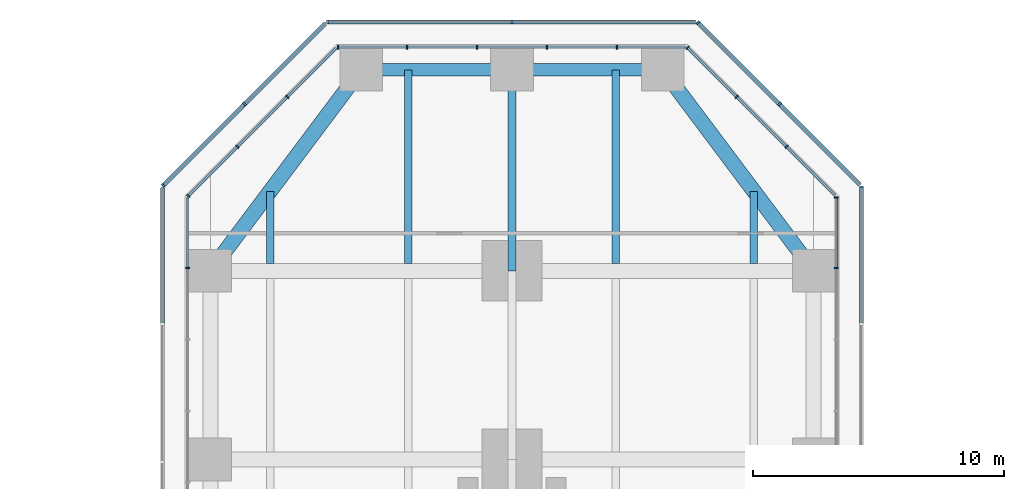
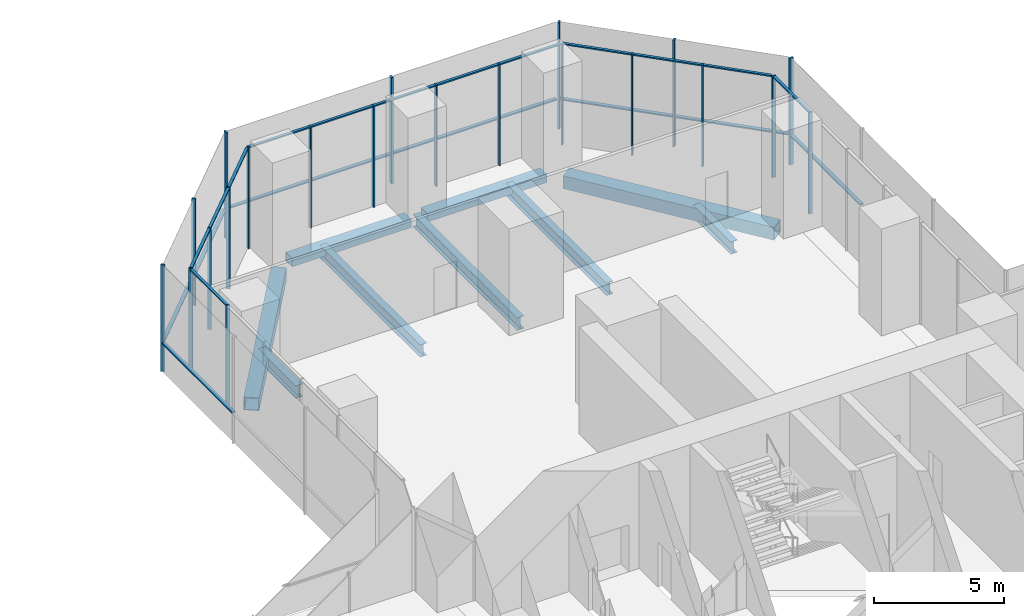
# One storey, part 12 of 23: 42 members, 9 beams, 10 elements without a shape of their own.
"""IFC4 building model written with IfcOpenShell, lengths in metres."""

from ifc_helpers import new_model, si_unit, direction, frame, origin, origin_2d, place, context, subcontext, project, spatial, rectangle, hollow_rectangle, i_section, extrude, material, material_profile, profile_set, type_object, element, aggregate, save


model = new_model("IFC4")

# Units and contexts
model_context = context("Model", 3, precision=1e-05, world=origin(), true_north=direction((0.0, 1.0)))
body_context = subcontext(model_context, "Body", "Model", "MODEL_VIEW")
ifc_project = project(units=[si_unit("LENGTHUNIT", "METRE"), si_unit("AREAUNIT", "SQUARE_METRE"), si_unit("VOLUMEUNIT", "CUBIC_METRE"), si_unit("PLANEANGLEUNIT", "RADIAN"), si_unit("MASSUNIT", "GRAM", prefix="KILO")], contexts=[model_context])

# Site, building, storey
site_placement = place(None, origin())
site = spatial("IfcSite", under=ifc_project, at=site_placement, CompositionType="ELEMENT")
building_placement = place(site_placement, origin())
building = spatial("IfcBuilding", under=site, at=building_placement, Name="Mizan Broadcast Tower", CompositionType="ELEMENT")
storey_placement = place(building_placement, frame((0.0, 0.0, 28.0)))
storey = spatial("IfcBuildingStorey", under=building, at=storey_placement, Name="L04", CompositionType="ELEMENT", Elevation=28.0)

# Beams
ifc_material_1 = material(Name="Steel S355", Category="steel")
ifc_material_profile_1 = material_profile(ifc_material_1, hollow_rectangle(XDim=0.5, YDim=0.39990234375, WallThickness=0.02490234375, at=origin_2d()), Name="BOX 400x500x25")
ifc_profile_set_1 = profile_set([ifc_material_profile_1], Name="Steel S355")
beam_type_1 = type_object("IfcBeamType", Name="EDGE BEAM BOX 400x500x25", PredefinedType="SPANDREL", material=ifc_profile_set_1)
for number, where, z_axis, x_axis, name in (
    (1, (5.639892578125, 35.0, -0.449951171875), (-1.0, 0.0, 0.0), (0.0, -1.0, 0.0), "Edge beam BOX 400x500x25 L04 north arm"),
    (2, (-5.639892578125, 35.0, -0.449951171875), (1.0, 0.0, 0.0), (0.0, 1.0, 0.0), "Edge beam BOX 400x500x25 L04 north arm"),
):
    element("IfcBeam", number, at=place(storey_placement, frame(where, z_axis=z_axis, x_axis=x_axis)), inside=storey, type_object=beam_type_1, Name=name, PredefinedType="SPANDREL", context=body_context, shape_type="SweptSolid", body=[
        extrude(hollow_rectangle(XDim=0.5, YDim=0.39990234375, WallThickness=0.02490234375, at=origin_2d()), origin(), (0.0, 0.0, 1.0), 5.27978515625),
    ])
ifc_material_2 = material(Name="Steel S355", Category="steel")
ifc_material_profile_2 = material_profile(ifc_material_2, hollow_rectangle(XDim=0.60009765625, YDim=0.60009765625, WallThickness=0.030029296875, at=origin_2d()), Name="BOX 600x600x30")
ifc_profile_set_2 = profile_set([ifc_material_profile_2], Name="Steel S355")
beam_type_2 = type_object("IfcBeamType", Name="EDGE BEAM BOX 600x600x30", PredefinedType="SPANDREL", material=ifc_profile_set_2)
for number, where, z_axis, x_axis, name in (
    (3, (11.639892578125, 27.47998046875, -0.550048828125), (-0.599982243973, 0.800013316712, 0.0), (-0.800013316712, -0.599982243973, 0.0), "Edge beam BOX 600x600x30 L04 north arm"),
    (4, (-11.639892578125, 27.47998046875, -0.550048828125), (0.599982243973, 0.800013316712, 0.0), (-0.800013316712, 0.599982243973, 0.0), "Edge beam BOX 600x600x30 L04 north arm"),
):
    element("IfcBeam", number, at=place(storey_placement, frame(where, z_axis=z_axis, x_axis=x_axis)), inside=storey, type_object=beam_type_2, Name=name, PredefinedType="SPANDREL", context=body_context, shape_type="SweptSolid", body=[
        extrude(hollow_rectangle(XDim=0.60009765625, YDim=0.60009765625, WallThickness=0.030029296875, at=origin_2d()), origin(), (0.0, 0.0, 1.0), 8.7998046875),
    ])

# Curtain wall, members
ifc_material_3 = material(Name="Aluminium framed glazing", Category="aluminium")
curtain_wall_type_1 = type_object("IfcCurtainWallType", Name="PODIUM CURTAIN WALL", PredefinedType="USERDEFINED", material=ifc_material_3)
curtain_wall_1_placement = place(storey_placement, origin())
curtain_wall_1 = element("IfcCurtainWall", 5, at=curtain_wall_1_placement, inside=storey, type_object=curtain_wall_type_1, Name="Podium curtain wall L04 N side", ObjectType="PODIUM CURTAIN WALL", PredefinedType="USERDEFINED")
ifc_material_4 = material(Name="Aluminium, pale anodised", Category="aluminium")
ifc_material_profile_3 = material_profile(ifc_material_4, rectangle(XDim=0.159912109375, YDim=0.06005859375, at=origin_2d()), Name="MULLION 160x60")
ifc_profile_set_3 = profile_set([ifc_material_profile_3], Name="Aluminium, pale anodised")
member_type_1 = type_object("IfcMemberType", Name="INNER SKIN MULLION 60x160", PredefinedType="MULLION", material=ifc_profile_set_3)
member_1_placement = place(storey_placement, frame((12.89990234375, 27.115478515625, 0.0), z_axis=(0.0, 0.0, 1.0), x_axis=(-1.0, 0.0, 0.0)))
member_1 = element("IfcMember", 6, at=member_1_placement, type_object=member_type_1, Name="Podium curtain wall L04 N side mullion 6", PredefinedType="MULLION", context=body_context, shape_type="SweptSolid", body=[
    extrude(rectangle(XDim=0.159912109375, YDim=0.06005859375, at=origin_2d()), origin(), (0.0, 0.0, 1.0), 4.75),
])
member_2_placement = place(storey_placement, frame((12.89990234375, 29.928466796875, 0.0), z_axis=(0.0, 0.0, 1.0), x_axis=(-1.0, 0.0, 0.0)))
member_2 = element("IfcMember", 7, at=member_2_placement, type_object=member_type_1, Name="Podium curtain wall L04 N side mullion 7", PredefinedType="MULLION", context=body_context, shape_type="SweptSolid", body=[
    extrude(rectangle(XDim=0.159912109375, YDim=0.06005859375, at=origin_2d()), origin(), (0.0, 0.0, 1.0), 4.75),
])

curtain_wall_2_placement = place(storey_placement, origin())
curtain_wall_2 = element("IfcCurtainWall", 8, at=curtain_wall_2_placement, inside=storey, type_object=curtain_wall_type_1, Name="Podium curtain wall L04 N chamfer", ObjectType="PODIUM CURTAIN WALL", PredefinedType="USERDEFINED")
member_3_placement = place(storey_placement, frame((10.91943359375, 31.93896484375, 0.0), z_axis=(0.0, 0.0, 1.0), x_axis=(-0.707106781187, -0.707106781187, 0.0)))
member_3 = element("IfcMember", 9, at=member_3_placement, type_object=member_type_1, Name="Podium curtain wall L04 N chamfer mullion 2", PredefinedType="MULLION", context=body_context, shape_type="SweptSolid", body=[
    extrude(rectangle(XDim=0.159912109375, YDim=0.06005859375, at=origin_2d()), origin(), (0.0, 0.0, 1.0), 4.75),
])
member_4_placement = place(storey_placement, frame((8.93896484375, 33.91943359375, 0.0), z_axis=(0.0, 0.0, 1.0), x_axis=(-0.707106781187, -0.707106781187, 0.0)))
member_4 = element("IfcMember", 10, at=member_4_placement, type_object=member_type_1, Name="Podium curtain wall L04 N chamfer mullion 3", PredefinedType="MULLION", context=body_context, shape_type="SweptSolid", body=[
    extrude(rectangle(XDim=0.159912109375, YDim=0.06005859375, at=origin_2d()), origin(), (0.0, 0.0, 1.0), 4.75),
])
member_5_placement = place(storey_placement, frame((6.979736328125, 35.87890625, 0.0), z_axis=(0.0, 0.0, 1.0), x_axis=(-0.707106781187, -0.707106781187, 0.0)))
member_5 = element("IfcMember", 11, at=member_5_placement, type_object=member_type_1, Name="Podium curtain wall L04 N chamfer mullion 4", PredefinedType="MULLION", context=body_context, shape_type="SweptSolid", body=[
    extrude(rectangle(XDim=0.159912109375, YDim=0.06005859375, at=origin_2d()), origin(), (0.0, 0.0, 1.0), 4.75),
])

curtain_wall_3_placement = place(storey_placement, origin())
curtain_wall_3 = element("IfcCurtainWall", 12, at=curtain_wall_3_placement, inside=storey, type_object=curtain_wall_type_1, Name="Podium curtain wall L04 N end", ObjectType="PODIUM CURTAIN WALL", PredefinedType="USERDEFINED")
member_6_placement = place(storey_placement, frame((4.175048828125, 35.89990234375, 0.0), z_axis=(0.0, 0.0, 1.0), x_axis=(0.0, -1.0, 0.0)))
member_6 = element("IfcMember", 13, at=member_6_placement, type_object=member_type_1, Name="Podium curtain wall L04 N end mullion 2", PredefinedType="MULLION", context=body_context, shape_type="SweptSolid", body=[
    extrude(rectangle(XDim=0.159912109375, YDim=0.06005859375, at=origin_2d()), origin(), (0.0, 0.0, 1.0), 4.75),
])
member_7_placement = place(storey_placement, frame((1.3916015625, 35.89990234375, 0.0), z_axis=(0.0, 0.0, 1.0), x_axis=(0.0, -1.0, 0.0)))
member_7 = element("IfcMember", 14, at=member_7_placement, type_object=member_type_1, Name="Podium curtain wall L04 N end mullion 3", PredefinedType="MULLION", context=body_context, shape_type="SweptSolid", body=[
    extrude(rectangle(XDim=0.159912109375, YDim=0.06005859375, at=origin_2d()), origin(), (0.0, 0.0, 1.0), 4.75),
])
member_8_placement = place(storey_placement, frame((-1.3916015625, 35.89990234375, 0.0), z_axis=(0.0, 0.0, 1.0), x_axis=(0.0, -1.0, 0.0)))
member_8 = element("IfcMember", 15, at=member_8_placement, type_object=member_type_1, Name="Podium curtain wall L04 N end mullion 4", PredefinedType="MULLION", context=body_context, shape_type="SweptSolid", body=[
    extrude(rectangle(XDim=0.159912109375, YDim=0.06005859375, at=origin_2d()), origin(), (0.0, 0.0, 1.0), 4.75),
])
member_9_placement = place(storey_placement, frame((-4.175048828125, 35.89990234375, 0.0), z_axis=(0.0, 0.0, 1.0), x_axis=(0.0, -1.0, 0.0)))
member_9 = element("IfcMember", 16, at=member_9_placement, type_object=member_type_1, Name="Podium curtain wall L04 N end mullion 5", PredefinedType="MULLION", context=body_context, shape_type="SweptSolid", body=[
    extrude(rectangle(XDim=0.159912109375, YDim=0.06005859375, at=origin_2d()), origin(), (0.0, 0.0, 1.0), 4.75),
])
member_10_placement = place(storey_placement, frame((-6.928466796875, 35.89990234375, 0.0), z_axis=(0.0, 0.0, 1.0), x_axis=(0.0, -1.0, 0.0)))
member_10 = element("IfcMember", 17, at=member_10_placement, type_object=member_type_1, Name="Podium curtain wall L04 N end mullion 6", PredefinedType="MULLION", context=body_context, shape_type="SweptSolid", body=[
    extrude(rectangle(XDim=0.159912109375, YDim=0.06005859375, at=origin_2d()), origin(), (0.0, 0.0, 1.0), 4.75),
])

curtain_wall_4_placement = place(storey_placement, origin())
curtain_wall_4 = element("IfcCurtainWall", 18, at=curtain_wall_4_placement, inside=storey, type_object=curtain_wall_type_1, Name="Podium curtain wall L04 N chamfer", ObjectType="PODIUM CURTAIN WALL", PredefinedType="USERDEFINED")
member_11_placement = place(storey_placement, frame((-8.93896484375, 33.91943359375, 0.0), z_axis=(0.0, 0.0, 1.0), x_axis=(0.707106781187, -0.707106781187, 0.0)))
member_11 = element("IfcMember", 19, at=member_11_placement, type_object=member_type_1, Name="Podium curtain wall L04 N chamfer mullion 2", PredefinedType="MULLION", context=body_context, shape_type="SweptSolid", body=[
    extrude(rectangle(XDim=0.159912109375, YDim=0.06005859375, at=origin_2d()), origin(), (0.0, 0.0, 1.0), 4.75),
])
member_12_placement = place(storey_placement, frame((-10.91943359375, 31.93896484375, 0.0), z_axis=(0.0, 0.0, 1.0), x_axis=(0.707106781187, -0.707106781187, 0.0)))
member_12 = element("IfcMember", 20, at=member_12_placement, type_object=member_type_1, Name="Podium curtain wall L04 N chamfer mullion 3", PredefinedType="MULLION", context=body_context, shape_type="SweptSolid", body=[
    extrude(rectangle(XDim=0.159912109375, YDim=0.06005859375, at=origin_2d()), origin(), (0.0, 0.0, 1.0), 4.75),
])
member_13_placement = place(storey_placement, frame((-12.87890625, 29.979736328125, 0.0), z_axis=(0.0, 0.0, 1.0), x_axis=(0.707106781187, -0.707106781187, 0.0)))
member_13 = element("IfcMember", 21, at=member_13_placement, type_object=member_type_1, Name="Podium curtain wall L04 N chamfer mullion 4", PredefinedType="MULLION", context=body_context, shape_type="SweptSolid", body=[
    extrude(rectangle(XDim=0.159912109375, YDim=0.06005859375, at=origin_2d()), origin(), (0.0, 0.0, 1.0), 4.75),
])

# Curtain wall, member
curtain_wall_5_placement = place(storey_placement, origin())
curtain_wall_5 = element("IfcCurtainWall", 22, at=curtain_wall_5_placement, inside=storey, type_object=curtain_wall_type_1, Name="Podium curtain wall L04 N side", ObjectType="PODIUM CURTAIN WALL", PredefinedType="USERDEFINED")
member_14_placement = place(storey_placement, frame((-12.89990234375, 27.115478515625, 0.0), z_axis=(0.0, 0.0, 1.0), x_axis=(1.0, 0.0, 0.0)))
member_14 = element("IfcMember", 23, at=member_14_placement, type_object=member_type_1, Name="Podium curtain wall L04 N side mullion 2", PredefinedType="MULLION", context=body_context, shape_type="SweptSolid", body=[
    extrude(rectangle(XDim=0.159912109375, YDim=0.06005859375, at=origin_2d()), origin(), (0.0, 0.0, 1.0), 4.75),
])

# Member
ifc_material_5 = material(Name="Aluminium, pale anodised", Category="aluminium")
ifc_material_profile_4 = material_profile(ifc_material_5, rectangle(XDim=0.1201171875, YDim=0.06005859375, at=origin_2d()), Name="TRANSOM 120x60")
ifc_profile_set_4 = profile_set([ifc_material_profile_4], Name="Aluminium, pale anodised")
member_type_2 = type_object("IfcMemberType", Name="INNER SKIN TRANSOM 60x120", PredefinedType="USERDEFINED", material=ifc_profile_set_4)
member_15_placement = place(storey_placement, frame((12.89990234375, 27.1455078125, 4.719970703125), z_axis=(0.0, 1.0, 0.0), x_axis=(-1.0, 0.0, 0.0)))
member_15 = element("IfcMember", 24, at=member_15_placement, type_object=member_type_2, Name="Podium curtain wall L04 N side transom 6.1", ObjectType="TRANSOM", PredefinedType="USERDEFINED", context=body_context, shape_type="SweptSolid", body=[
    extrude(rectangle(XDim=0.1201171875, YDim=0.06005859375, at=origin_2d()), origin(), (0.0, 0.0, 1.0), 2.753173828125),
])

aggregate(curtain_wall_1, [member_1, member_2, member_15])

member_16_placement = place(storey_placement, frame((12.857666015625, 30.0009765625, 4.719970703125), z_axis=(-0.707151809797, 0.707061749709, 0.0), x_axis=(-0.707061749709, -0.707151809797, 0.0)))
member_16 = element("IfcMember", 25, at=member_16_placement, type_object=member_type_2, Name="Podium curtain wall L04 N chamfer transom 1.1", ObjectType="TRANSOM", PredefinedType="USERDEFINED", context=body_context, shape_type="SweptSolid", body=[
    extrude(rectangle(XDim=0.1201171875, YDim=0.06005859375, at=origin_2d()), origin(), (0.0, 0.0, 1.0), 2.7109375),
])

member_17_placement = place(storey_placement, frame((10.898193359375, 31.960205078125, 4.719970703125), z_axis=(-0.707106781187, 0.707106781187, 0.0), x_axis=(-0.707106781187, -0.707106781187, 0.0)))
member_17 = element("IfcMember", 26, at=member_17_placement, type_object=member_type_2, Name="Podium curtain wall L04 N chamfer transom 2.1", ObjectType="TRANSOM", PredefinedType="USERDEFINED", context=body_context, shape_type="SweptSolid", body=[
    extrude(rectangle(XDim=0.1201171875, YDim=0.06005859375, at=origin_2d()), origin(), (0.0, 0.0, 1.0), 2.74072265625),
])

member_18_placement = place(storey_placement, frame((8.917724609375, 33.940673828125, 4.719970703125), z_axis=(-0.707061749709, 0.707151809797, 0.0), x_axis=(-0.707151809797, -0.707061749709, 0.0)))
member_18 = element("IfcMember", 27, at=member_18_placement, type_object=member_type_2, Name="Podium curtain wall L04 N chamfer transom 3.1", ObjectType="TRANSOM", PredefinedType="USERDEFINED", context=body_context, shape_type="SweptSolid", body=[
    extrude(rectangle(XDim=0.1201171875, YDim=0.06005859375, at=origin_2d()), origin(), (0.0, 0.0, 1.0), 2.7109375),
])

aggregate(curtain_wall_2, [member_3, member_4, member_5, member_16, member_17, member_18])

member_19_placement = place(storey_placement, frame((6.898681640625, 35.89990234375, 4.719970703125), z_axis=(-1.0, 0.0, 0.0), x_axis=(0.0, -1.0, 0.0)))
member_19 = element("IfcMember", 28, at=member_19_placement, type_object=member_type_2, Name="Podium curtain wall L04 N end transom 1.1", ObjectType="TRANSOM", PredefinedType="USERDEFINED", context=body_context, shape_type="SweptSolid", body=[
    extrude(rectangle(XDim=0.1201171875, YDim=0.06005859375, at=origin_2d()), origin(), (0.0, 0.0, 1.0), 2.693603515625),
])

member_20_placement = place(storey_placement, frame((4.145263671875, 35.89990234375, 4.719970703125), z_axis=(-1.0, 0.0, 0.0), x_axis=(0.0, -1.0, 0.0)))
member_20 = element("IfcMember", 29, at=member_20_placement, type_object=member_type_2, Name="Podium curtain wall L04 N end transom 2.1", ObjectType="TRANSOM", PredefinedType="USERDEFINED", context=body_context, shape_type="SweptSolid", body=[
    extrude(rectangle(XDim=0.1201171875, YDim=0.06005859375, at=origin_2d()), origin(), (0.0, 0.0, 1.0), 2.7236328125),
])

member_21_placement = place(storey_placement, frame((1.36181640625, 35.89990234375, 4.719970703125), z_axis=(-1.0, 0.0, 0.0), x_axis=(0.0, -1.0, 0.0)))
member_21 = element("IfcMember", 30, at=member_21_placement, type_object=member_type_2, Name="Podium curtain wall L04 N end transom 3.1", ObjectType="TRANSOM", PredefinedType="USERDEFINED", context=body_context, shape_type="SweptSolid", body=[
    extrude(rectangle(XDim=0.1201171875, YDim=0.06005859375, at=origin_2d()), origin(), (0.0, 0.0, 1.0), 2.7236328125),
])

member_22_placement = place(storey_placement, frame((-1.421630859375, 35.89990234375, 4.719970703125), z_axis=(-1.0, 0.0, 0.0), x_axis=(0.0, -1.0, 0.0)))
member_22 = element("IfcMember", 31, at=member_22_placement, type_object=member_type_2, Name="Podium curtain wall L04 N end transom 4.1", ObjectType="TRANSOM", PredefinedType="USERDEFINED", context=body_context, shape_type="SweptSolid", body=[
    extrude(rectangle(XDim=0.1201171875, YDim=0.06005859375, at=origin_2d()), origin(), (0.0, 0.0, 1.0), 2.7236328125),
])

member_23_placement = place(storey_placement, frame((-4.205078125, 35.89990234375, 4.719970703125), z_axis=(-1.0, 0.0, 0.0), x_axis=(0.0, -1.0, 0.0)))
member_23 = element("IfcMember", 32, at=member_23_placement, type_object=member_type_2, Name="Podium curtain wall L04 N end transom 5.1", ObjectType="TRANSOM", PredefinedType="USERDEFINED", context=body_context, shape_type="SweptSolid", body=[
    extrude(rectangle(XDim=0.1201171875, YDim=0.06005859375, at=origin_2d()), origin(), (0.0, 0.0, 1.0), 2.693603515625),
])

aggregate(curtain_wall_3, [member_6, member_7, member_8, member_9, member_10, member_19, member_20, member_21, member_22, member_23])

member_24_placement = place(storey_placement, frame((-7.0009765625, 35.857666015625, 4.719970703125), z_axis=(-0.707061749709, -0.707151809797, 0.0), x_axis=(0.707151809797, -0.707061749709, 0.0)))
member_24 = element("IfcMember", 33, at=member_24_placement, type_object=member_type_2, Name="Podium curtain wall L04 N chamfer transom 1.1", ObjectType="TRANSOM", PredefinedType="USERDEFINED", context=body_context, shape_type="SweptSolid", body=[
    extrude(rectangle(XDim=0.1201171875, YDim=0.06005859375, at=origin_2d()), origin(), (0.0, 0.0, 1.0), 2.7109375),
])

member_25_placement = place(storey_placement, frame((-8.960205078125, 33.898193359375, 4.719970703125), z_axis=(-0.707106781187, -0.707106781187, 0.0), x_axis=(0.707106781187, -0.707106781187, 0.0)))
member_25 = element("IfcMember", 34, at=member_25_placement, type_object=member_type_2, Name="Podium curtain wall L04 N chamfer transom 2.1", ObjectType="TRANSOM", PredefinedType="USERDEFINED", context=body_context, shape_type="SweptSolid", body=[
    extrude(rectangle(XDim=0.1201171875, YDim=0.06005859375, at=origin_2d()), origin(), (0.0, 0.0, 1.0), 2.74072265625),
])

member_26_placement = place(storey_placement, frame((-10.940673828125, 31.917724609375, 4.719970703125), z_axis=(-0.707151809797, -0.707061749709, 0.0), x_axis=(0.707061749709, -0.707151809797, 0.0)))
member_26 = element("IfcMember", 35, at=member_26_placement, type_object=member_type_2, Name="Podium curtain wall L04 N chamfer transom 3.1", ObjectType="TRANSOM", PredefinedType="USERDEFINED", context=body_context, shape_type="SweptSolid", body=[
    extrude(rectangle(XDim=0.1201171875, YDim=0.06005859375, at=origin_2d()), origin(), (0.0, 0.0, 1.0), 2.7109375),
])

aggregate(curtain_wall_4, [member_11, member_12, member_13, member_24, member_25, member_26])

member_27_placement = place(storey_placement, frame((-12.89990234375, 29.898681640625, 4.719970703125), z_axis=(0.0, -1.0, 0.0), x_axis=(1.0, 0.0, 0.0)))
member_27 = element("IfcMember", 36, at=member_27_placement, type_object=member_type_2, Name="Podium curtain wall L04 N side transom 1.1", ObjectType="TRANSOM", PredefinedType="USERDEFINED", context=body_context, shape_type="SweptSolid", body=[
    extrude(rectangle(XDim=0.1201171875, YDim=0.06005859375, at=origin_2d()), origin(), (0.0, 0.0, 1.0), 2.753173828125),
])

aggregate(curtain_wall_5, [member_14, member_27])

# Curtain wall, member
ifc_material_6 = material(Name="Aluminium framed glazing", Category="aluminium")
curtain_wall_type_2 = type_object("IfcCurtainWallType", Name="OUTER SKIN", PredefinedType="USERDEFINED", material=ifc_material_6)
curtain_wall_6_placement = place(storey_placement, origin())
curtain_wall_6 = element("IfcCurtainWall", 37, at=curtain_wall_6_placement, inside=storey, type_object=curtain_wall_type_2, Name="Outer skin L04 N side", ObjectType="OUTER SKIN", PredefinedType="USERDEFINED")
ifc_material_7 = material(Name="Aluminium, pale anodised", Category="aluminium")
ifc_material_profile_5 = material_profile(ifc_material_7, rectangle(XDim=0.159912109375, YDim=0.080078125, at=origin_2d()), Name="MULLION 160x80")
ifc_profile_set_5 = profile_set([ifc_material_profile_5], Name="Aluminium, pale anodised")
member_type_3 = type_object("IfcMemberType", Name="OUTER SKIN MULLION 80x160", PredefinedType="MULLION", material=ifc_profile_set_5)
member_28_placement = place(storey_placement, frame((13.89990234375, 30.332763671875, 0.0), z_axis=(0.0, 0.0, 1.0), x_axis=(-1.0, 0.0, 0.0)))
member_28 = element("IfcMember", 38, at=member_28_placement, type_object=member_type_3, Name="Outer skin L04 N side mullion 4", PredefinedType="MULLION", context=body_context, shape_type="SweptSolid", body=[
    extrude(rectangle(XDim=0.159912109375, YDim=0.080078125, at=origin_2d()), origin(), (0.0, 0.0, 1.0), 5.0),
])

# Curtain wall, members
curtain_wall_7_placement = place(storey_placement, origin())
curtain_wall_7 = element("IfcCurtainWall", 39, at=curtain_wall_7_placement, inside=storey, type_object=curtain_wall_type_2, Name="Outer skin L04 N chamfer", ObjectType="OUTER SKIN", PredefinedType="USERDEFINED")
member_29_placement = place(storey_placement, frame((10.636474609375, 33.636474609375, 0.0), z_axis=(0.0, 0.0, 1.0), x_axis=(-0.707106781187, -0.707106781187, 0.0)))
member_29 = element("IfcMember", 40, at=member_29_placement, type_object=member_type_3, Name="Outer skin L04 N chamfer mullion 2", PredefinedType="MULLION", context=body_context, shape_type="SweptSolid", body=[
    extrude(rectangle(XDim=0.159912109375, YDim=0.080078125, at=origin_2d()), origin(), (0.0, 0.0, 1.0), 5.0),
])
member_30_placement = place(storey_placement, frame((7.401123046875, 36.871826171875, 0.0), z_axis=(0.0, 0.0, 1.0), x_axis=(-0.707106781187, -0.707106781187, 0.0)))
member_30 = element("IfcMember", 41, at=member_30_placement, type_object=member_type_3, Name="Outer skin L04 N chamfer mullion 3", PredefinedType="MULLION", context=body_context, shape_type="SweptSolid", body=[
    extrude(rectangle(XDim=0.159912109375, YDim=0.080078125, at=origin_2d()), origin(), (0.0, 0.0, 1.0), 5.0),
])

curtain_wall_8_placement = place(storey_placement, origin())
curtain_wall_8 = element("IfcCurtainWall", 42, at=curtain_wall_8_placement, inside=storey, type_object=curtain_wall_type_2, Name="Outer skin L04 N end", ObjectType="OUTER SKIN", PredefinedType="USERDEFINED")
member_31_placement = place(storey_placement, frame((0.0, 36.89990234375, 0.0), z_axis=(0.0, 0.0, 1.0), x_axis=(0.0, -1.0, 0.0)))
member_31 = element("IfcMember", 43, at=member_31_placement, type_object=member_type_3, Name="Outer skin L04 N end mullion 2", PredefinedType="MULLION", context=body_context, shape_type="SweptSolid", body=[
    extrude(rectangle(XDim=0.159912109375, YDim=0.080078125, at=origin_2d()), origin(), (0.0, 0.0, 1.0), 5.0),
])
member_32_placement = place(storey_placement, frame((-7.332763671875, 36.89990234375, 0.0), z_axis=(0.0, 0.0, 1.0), x_axis=(0.0, -1.0, 0.0)))
member_32 = element("IfcMember", 44, at=member_32_placement, type_object=member_type_3, Name="Outer skin L04 N end mullion 3", PredefinedType="MULLION", context=body_context, shape_type="SweptSolid", body=[
    extrude(rectangle(XDim=0.159912109375, YDim=0.080078125, at=origin_2d()), origin(), (0.0, 0.0, 1.0), 5.0),
])

curtain_wall_9_placement = place(storey_placement, origin())
curtain_wall_9 = element("IfcCurtainWall", 45, at=curtain_wall_9_placement, inside=storey, type_object=curtain_wall_type_2, Name="Outer skin L04 N chamfer", ObjectType="OUTER SKIN", PredefinedType="USERDEFINED")
member_33_placement = place(storey_placement, frame((-10.636474609375, 33.636474609375, 0.0), z_axis=(0.0, 0.0, 1.0), x_axis=(0.707106781187, -0.707106781187, 0.0)))
member_33 = element("IfcMember", 46, at=member_33_placement, type_object=member_type_3, Name="Outer skin L04 N chamfer mullion 2", PredefinedType="MULLION", context=body_context, shape_type="SweptSolid", body=[
    extrude(rectangle(XDim=0.159912109375, YDim=0.080078125, at=origin_2d()), origin(), (0.0, 0.0, 1.0), 5.0),
])
member_34_placement = place(storey_placement, frame((-13.871826171875, 30.401123046875, 0.0), z_axis=(0.0, 0.0, 1.0), x_axis=(0.707106781187, -0.707106781187, 0.0)))
member_34 = element("IfcMember", 47, at=member_34_placement, type_object=member_type_3, Name="Outer skin L04 N chamfer mullion 3", PredefinedType="MULLION", context=body_context, shape_type="SweptSolid", body=[
    extrude(rectangle(XDim=0.159912109375, YDim=0.080078125, at=origin_2d()), origin(), (0.0, 0.0, 1.0), 5.0),
])

# Member
ifc_material_8 = material(Name="Aluminium, pale anodised", Category="aluminium")
ifc_material_profile_6 = material_profile(ifc_material_8, rectangle(XDim=0.159912109375, YDim=0.06005859375, at=origin_2d()), Name="TRANSOM 160x60")
ifc_profile_set_6 = profile_set([ifc_material_profile_6], Name="Aluminium, pale anodised")
member_type_4 = type_object("IfcMemberType", Name="OUTER SKIN TRANSOM 60x160", PredefinedType="USERDEFINED", material=ifc_profile_set_6)
member_35_placement = place(storey_placement, frame((13.89990234375, 24.921875, 1.39990234375), z_axis=(0.0, 1.0, 0.0), x_axis=(-1.0, 0.0, 0.0)))
member_35 = element("IfcMember", 48, at=member_35_placement, type_object=member_type_4, Name="Outer skin L04 N side transom 3.1", ObjectType="TRANSOM", PredefinedType="USERDEFINED", context=body_context, shape_type="SweptSolid", body=[
    extrude(rectangle(XDim=0.159912109375, YDim=0.06005859375, at=origin_2d()), origin(), (0.0, 0.0, 1.0), 5.370849609375),
])

aggregate(curtain_wall_6, [member_28, member_35])

member_36_placement = place(storey_placement, frame((13.843505859375, 30.429443359375, 1.39990234375), z_axis=(-0.707106781187, 0.707106781187, 0.0), x_axis=(-0.707106781187, -0.707106781187, 0.0)))
member_36 = element("IfcMember", 49, at=member_36_placement, type_object=member_type_4, Name="Outer skin L04 N chamfer transom 1.1", ObjectType="TRANSOM", PredefinedType="USERDEFINED", context=body_context, shape_type="SweptSolid", body=[
    extrude(rectangle(XDim=0.159912109375, YDim=0.06005859375, at=origin_2d()), origin(), (0.0, 0.0, 1.0), 4.495361328125),
])

member_37_placement = place(storey_placement, frame((10.608154296875, 33.664794921875, 1.39990234375), z_axis=(-0.707106781187, 0.707106781187, 0.0), x_axis=(-0.707106781187, -0.707106781187, 0.0)))
member_37 = element("IfcMember", 50, at=member_37_placement, type_object=member_type_4, Name="Outer skin L04 N chamfer transom 2.1", ObjectType="TRANSOM", PredefinedType="USERDEFINED", context=body_context, shape_type="SweptSolid", body=[
    extrude(rectangle(XDim=0.159912109375, YDim=0.06005859375, at=origin_2d()), origin(), (0.0, 0.0, 1.0), 4.495361328125),
])

aggregate(curtain_wall_7, [member_29, member_30, member_36, member_37])

member_38_placement = place(storey_placement, frame((7.292724609375, 36.89990234375, 1.39990234375), z_axis=(-1.0, 0.0, 0.0), x_axis=(0.0, -1.0, 0.0)))
member_38 = element("IfcMember", 51, at=member_38_placement, type_object=member_type_4, Name="Outer skin L04 N end transom 1.1", ObjectType="TRANSOM", PredefinedType="USERDEFINED", context=body_context, shape_type="SweptSolid", body=[
    extrude(rectangle(XDim=0.159912109375, YDim=0.06005859375, at=origin_2d()), origin(), (0.0, 0.0, 1.0), 7.252685546875),
])

member_39_placement = place(storey_placement, frame((-0.0400390625, 36.89990234375, 1.39990234375), z_axis=(-1.0, 0.0, 0.0), x_axis=(0.0, -1.0, 0.0)))
member_39 = element("IfcMember", 52, at=member_39_placement, type_object=member_type_4, Name="Outer skin L04 N end transom 2.1", ObjectType="TRANSOM", PredefinedType="USERDEFINED", context=body_context, shape_type="SweptSolid", body=[
    extrude(rectangle(XDim=0.159912109375, YDim=0.06005859375, at=origin_2d()), origin(), (0.0, 0.0, 1.0), 7.252685546875),
])

aggregate(curtain_wall_8, [member_31, member_32, member_38, member_39])

member_40_placement = place(storey_placement, frame((-7.429443359375, 36.843505859375, 1.39990234375), z_axis=(-0.707106781187, -0.707106781187, 0.0), x_axis=(0.707106781187, -0.707106781187, 0.0)))
member_40 = element("IfcMember", 53, at=member_40_placement, type_object=member_type_4, Name="Outer skin L04 N chamfer transom 1.1", ObjectType="TRANSOM", PredefinedType="USERDEFINED", context=body_context, shape_type="SweptSolid", body=[
    extrude(rectangle(XDim=0.159912109375, YDim=0.06005859375, at=origin_2d()), origin(), (0.0, 0.0, 1.0), 4.495361328125),
])

member_41_placement = place(storey_placement, frame((-10.664794921875, 33.608154296875, 1.39990234375), z_axis=(-0.707106781187, -0.707106781187, 0.0), x_axis=(0.707106781187, -0.707106781187, 0.0)))
member_41 = element("IfcMember", 54, at=member_41_placement, type_object=member_type_4, Name="Outer skin L04 N chamfer transom 2.1", ObjectType="TRANSOM", PredefinedType="USERDEFINED", context=body_context, shape_type="SweptSolid", body=[
    extrude(rectangle(XDim=0.159912109375, YDim=0.06005859375, at=origin_2d()), origin(), (0.0, 0.0, 1.0), 4.495361328125),
])

aggregate(curtain_wall_9, [member_33, member_34, member_40, member_41])

# Curtain wall, member
curtain_wall_10_placement = place(storey_placement, origin())
curtain_wall_10 = element("IfcCurtainWall", 55, at=curtain_wall_10_placement, inside=storey, type_object=curtain_wall_type_2, Name="Outer skin L04 N side", ObjectType="OUTER SKIN", PredefinedType="USERDEFINED")
member_42_placement = place(storey_placement, frame((-13.89990234375, 30.292724609375, 1.39990234375), z_axis=(0.0, -1.0, 0.0), x_axis=(1.0, 0.0, 0.0)))
member_42 = element("IfcMember", 56, at=member_42_placement, type_object=member_type_4, Name="Outer skin L04 N side transom 1.1", ObjectType="TRANSOM", PredefinedType="USERDEFINED", context=body_context, shape_type="SweptSolid", body=[
    extrude(rectangle(XDim=0.159912109375, YDim=0.06005859375, at=origin_2d()), origin(), (0.0, 0.0, 1.0), 5.370849609375),
])
aggregate(curtain_wall_10, [member_42])

# Beams
ifc_material_9 = material(Name="Steel S355", Category="steel")
ifc_material_profile_7 = material_profile(ifc_material_9, i_section(OverallWidth=0.300048828125, OverallDepth=0.590087890625, WebThickness=0.012939453125, FlangeThickness=0.02490234375, FilletRadius=0.027099609375, at=origin_2d()), Name="HEA 600")
ifc_profile_set_7 = profile_set([ifc_material_profile_7], Name="Steel S355")
beam_type_3 = type_object("IfcBeamType", Name="SECONDARY BEAM HEA 600", PredefinedType="JOIST", material=ifc_profile_set_7)
beam_1_placement = place(storey_placement, frame((9.625, 27.300048828125, -0.544921875), z_axis=(0.0, 1.0, 0.0), x_axis=(-1.0, 0.0, 0.0)))
element("IfcBeam", 57, at=beam_1_placement, inside=storey, type_object=beam_type_3, Name="Secondary beam HEA 600 L04 north arm", PredefinedType="JOIST", context=body_context, shape_type="SweptSolid", body=[
    extrude(i_section(OverallWidth=0.300048828125, OverallDepth=0.590087890625, WebThickness=0.012939453125, FlangeThickness=0.02490234375, FilletRadius=0.027099609375, at=origin_2d()), origin(), (0.0, 0.0, 1.0), 2.86669921875),
])
beam_2_placement = place(storey_placement, frame((4.125, 27.300048828125, -0.544921875), z_axis=(0.0, 1.0, 0.0), x_axis=(-1.0, 0.0, 0.0)))
element("IfcBeam", 58, at=beam_2_placement, inside=storey, type_object=beam_type_3, Name="Secondary beam HEA 600 L04 north arm", PredefinedType="JOIST", context=body_context, shape_type="SweptSolid", body=[
    extrude(i_section(OverallWidth=0.300048828125, OverallDepth=0.590087890625, WebThickness=0.012939453125, FlangeThickness=0.02490234375, FilletRadius=0.027099609375, at=origin_2d()), origin(), (0.0, 0.0, 1.0), 7.699951171875),
])
beam_3_placement = place(storey_placement, frame((0.0, 27.0, -0.544921875), z_axis=(0.0, 1.0, 0.0), x_axis=(-1.0, 0.0, 0.0)))
element("IfcBeam", 59, at=beam_3_placement, inside=storey, type_object=beam_type_3, Name="Secondary beam HEA 600 L04 north arm", PredefinedType="JOIST", context=body_context, shape_type="SweptSolid", body=[
    extrude(i_section(OverallWidth=0.300048828125, OverallDepth=0.590087890625, WebThickness=0.012939453125, FlangeThickness=0.02490234375, FilletRadius=0.027099609375, at=origin_2d()), origin(), (0.0, 0.0, 1.0), 8.0),
])
beam_4_placement = place(storey_placement, frame((-4.125, 27.300048828125, -0.544921875), z_axis=(0.0, 1.0, 0.0), x_axis=(-1.0, 0.0, 0.0)))
element("IfcBeam", 60, at=beam_4_placement, inside=storey, type_object=beam_type_3, Name="Secondary beam HEA 600 L04 north arm", PredefinedType="JOIST", context=body_context, shape_type="SweptSolid", body=[
    extrude(i_section(OverallWidth=0.300048828125, OverallDepth=0.590087890625, WebThickness=0.012939453125, FlangeThickness=0.02490234375, FilletRadius=0.027099609375, at=origin_2d()), origin(), (0.0, 0.0, 1.0), 7.699951171875),
])
beam_5_placement = place(storey_placement, frame((-9.625, 27.300048828125, -0.544921875), z_axis=(0.0, 1.0, 0.0), x_axis=(-1.0, 0.0, 0.0)))
element("IfcBeam", 61, at=beam_5_placement, inside=storey, type_object=beam_type_3, Name="Secondary beam HEA 600 L04 north arm", PredefinedType="JOIST", context=body_context, shape_type="SweptSolid", body=[
    extrude(i_section(OverallWidth=0.300048828125, OverallDepth=0.590087890625, WebThickness=0.012939453125, FlangeThickness=0.02490234375, FilletRadius=0.027099609375, at=origin_2d()), origin(), (0.0, 0.0, 1.0), 2.86669921875),
])

save(model, "model.ifc")
